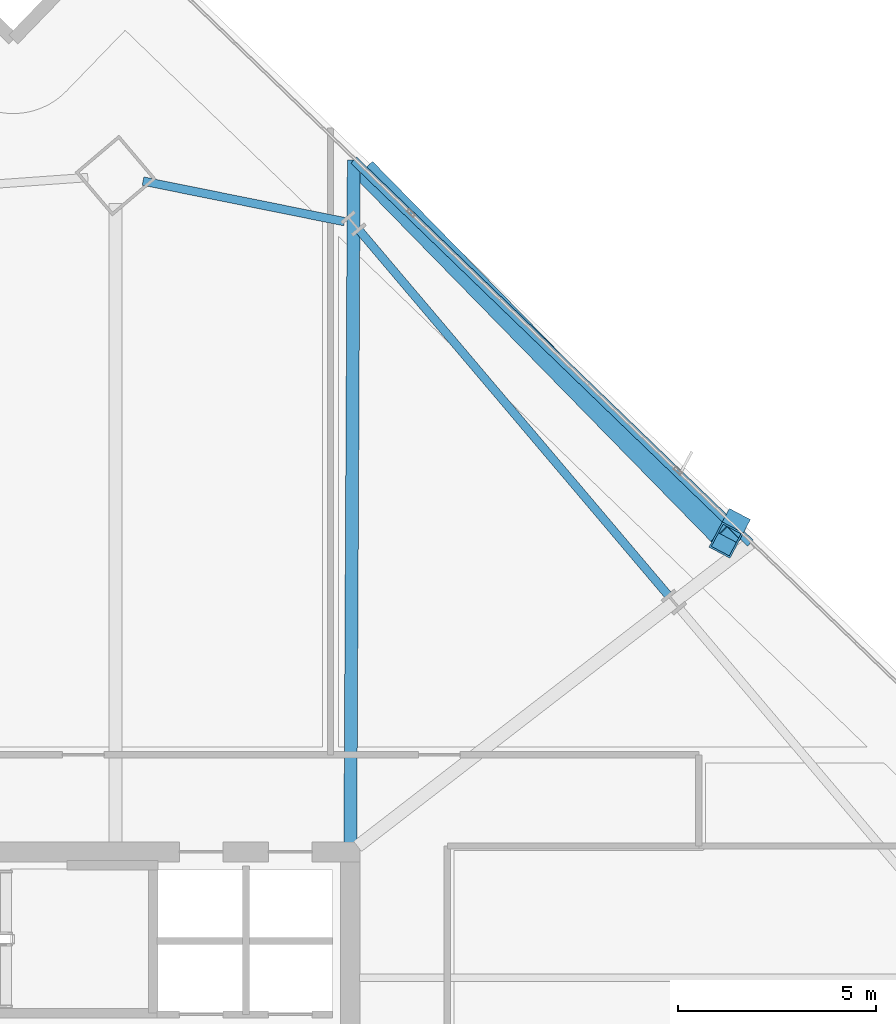
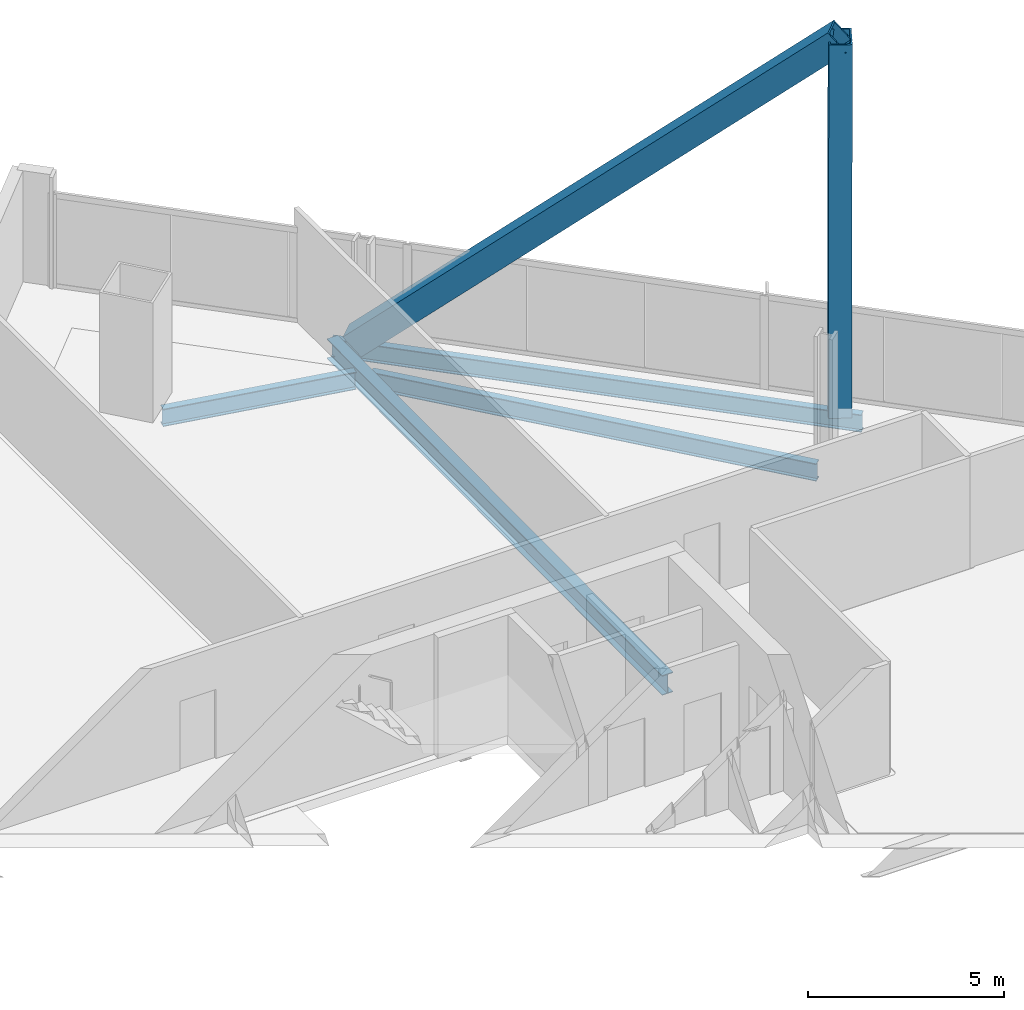
# One storey, part 22 of 33: 4 beams, 2 members.
"""IFC4 building model written with IfcOpenShell, lengths in metres."""

from ifc_helpers import new_model, si_unit, direction, frame, origin, origin_2d, place, context, subcontext, project, spatial, hollow_rectangle, i_section, extrude, material, material_profile, profile_set, type_object, element, save


model = new_model("IFC4")

# Units and contexts
model_context = context("Model", 3, precision=1e-05, world=origin(), true_north=direction((0.0, 1.0)))
body_context = subcontext(model_context, "Body", "Model", "MODEL_VIEW")
ifc_project = project(units=[si_unit("LENGTHUNIT", "METRE"), si_unit("AREAUNIT", "SQUARE_METRE"), si_unit("VOLUMEUNIT", "CUBIC_METRE"), si_unit("PLANEANGLEUNIT", "RADIAN"), si_unit("MASSUNIT", "GRAM", prefix="KILO")], contexts=[model_context])

# Site, building, storey
site_placement = place(None, origin())
site = spatial("IfcSite", under=ifc_project, at=site_placement, CompositionType="ELEMENT")
building_placement = place(site_placement, origin())
building = spatial("IfcBuilding", under=site, at=building_placement, Name="Haldenkirk Collegiate Tower", CompositionType="ELEMENT")
storey_placement = place(building_placement, frame((0.0, 0.0, 181.949951171875)))
storey = spatial("IfcBuildingStorey", under=building, at=storey_placement, Name="L45", CompositionType="ELEMENT", Elevation=181.949951171875)

# Beams
ifc_material_1 = material(Name="Steel ASTM A992 Grade 50", Category="steel")
ifc_material_profile_1 = material_profile(ifc_material_1, i_section(OverallWidth=0.324951171875, OverallDepth=0.615966796875, WebThickness=0.013916015625, FlangeThickness=0.021484375, at=origin_2d()), Name="W24X117")
ifc_profile_set_1 = profile_set([ifc_material_profile_1], Name="Steel ASTM A992 Grade 50")
beam_type_1 = type_object("IfcBeamType", Name="BM-GIRDER-W24X117", PredefinedType="BEAM", material=ifc_profile_set_1)
beam_1_placement = place(storey_placement, frame((45.087890625, 51.463623046875, -0.597900390625), z_axis=(-0.005029048588, -0.999987354255, 0.0), x_axis=(0.999987354255, -0.005029048588, 0.0)))
element("IfcBeam", 1, at=beam_1_placement, inside=storey, type_object=beam_type_1, Name="L45 primary floor girder 10", PredefinedType="BEAM", context=body_context, shape_type="SweptSolid", body=[
    extrude(i_section(OverallWidth=0.324951171875, OverallDepth=0.615966796875, WebThickness=0.013916015625, FlangeThickness=0.021484375, at=origin_2d()), origin(), (0.0, 0.0, 1.0), 17.23388671875),
])
ifc_material_profile_2 = material_profile(ifc_material_1, i_section(OverallWidth=0.2119140625, OverallDepth=0.5439453125, WebThickness=0.01318359375, FlangeThickness=0.021240234375, at=origin_2d()), Name="W21X83")
ifc_profile_set_2 = profile_set([ifc_material_profile_2], Name="Steel ASTM A992 Grade 50")
beam_type_2 = type_object("IfcBeamType", Name="BM-SPANDREL-W21X83", PredefinedType="SPANDREL", material=ifc_profile_set_2)
beam_2_placement = place(storey_placement, frame((53.023193359375, 40.482177734375, -0.56201171875), z_axis=(-0.646126367676, 0.763230448157, 0.0), x_axis=(-0.763230448157, -0.646126367676, 0.0)))
element("IfcBeam", 2, at=beam_2_placement, inside=storey, type_object=beam_type_2, Name="L45 perimeter spandrel beam 07", PredefinedType="SPANDREL", context=body_context, shape_type="SweptSolid", body=[
    extrude(i_section(OverallWidth=0.2119140625, OverallDepth=0.5439453125, WebThickness=0.01318359375, FlangeThickness=0.021240234375, at=origin_2d()), origin(), (0.0, 0.0, 1.0), 12.06494140625),
])
beam_3_placement = place(storey_placement, frame((44.85546875, 49.910400390625, -0.56201171875), z_axis=(-0.980286465062, 0.197581493102, 0.0), x_axis=(-0.197581493102, -0.980286465062, 0.0)))
element("IfcBeam", 3, at=beam_3_placement, inside=storey, type_object=beam_type_2, Name="L45 perimeter spandrel beam 08", PredefinedType="SPANDREL", context=body_context, shape_type="SweptSolid", body=[
    extrude(i_section(OverallWidth=0.2119140625, OverallDepth=0.5439453125, WebThickness=0.01318359375, FlangeThickness=0.021240234375, at=origin_2d()), origin(), (0.0, 0.0, 1.0), 5.189697265625),
])
beam_4_placement = place(storey_placement, frame((55.099609375, 41.795654296875, -0.56201171875), z_axis=(-0.719348261409, 0.694649608657, 0.0), x_axis=(-0.694649608657, -0.719348261409, 0.0)))
element("IfcBeam", 4, at=beam_4_placement, inside=storey, type_object=beam_type_2, Name="L45 outer facade edge beam 2", PredefinedType="SPANDREL", context=body_context, shape_type="SweptSolid", body=[
    extrude(i_section(OverallWidth=0.2119140625, OverallDepth=0.5439453125, WebThickness=0.01318359375, FlangeThickness=0.021240234375, at=origin_2d()), origin(), (0.0, 0.0, 1.0), 13.917724609375),
])

# Members
ifc_material_2 = material(Name="Steel ASTM A572 Grade 50", Category="steel")
ifc_material_profile_3 = material_profile(ifc_material_2, hollow_rectangle(XDim=0.60009765625, YDim=0.719970703125, WallThickness=0.044921875, at=origin_2d()), Name="BOX720X600X45")
ifc_profile_set_3 = profile_set([ifc_material_profile_3], Name="Steel ASTM A572 Grade 50")
member_type = type_object("IfcMemberType", Name="MBR-MEGABRACE-BOX720X600X45", PredefinedType="BRACE", material=ifc_profile_set_3)
member_1_placement = place(storey_placement, frame((54.66796875, 42.21240234375, -0.300048828125), z_axis=(-0.015117136495, -0.028591105979, 0.999476873591), x_axis=(0.884034960309, -0.467420783611, 0.0)))
element("IfcMember", 5, at=member_1_placement, inside=storey, type_object=member_type, Name="Perimeter Mega Brace Z3 L45-L47 EL", PredefinedType="BRACE", context=body_context, shape_type="SweptSolid", body=[
    extrude(hollow_rectangle(XDim=0.60009765625, YDim=0.719970703125, WallThickness=0.044921875, at=origin_2d()), origin(), (0.0, 0.0, 1.0), 11.88623046875),
])
member_2_placement = place(storey_placement, frame((45.51953125, 51.046875, -0.300048828125), z_axis=(0.512923934518, -0.524680303008, 0.679425946689), x_axis=(0.715072616456, 0.699050179311, 0.0)))
element("IfcMember", 6, at=member_2_placement, inside=storey, type_object=member_type, Name="Perimeter Mega Brace Z3 L45-L47 ER", PredefinedType="BRACE", context=body_context, shape_type="SweptSolid", body=[
    extrude(hollow_rectangle(XDim=0.60009765625, YDim=0.719970703125, WallThickness=0.044921875, at=origin_2d()), origin(), (0.0, 0.0, 1.0), 17.485595703125),
])

save(model, "model.ifc")
